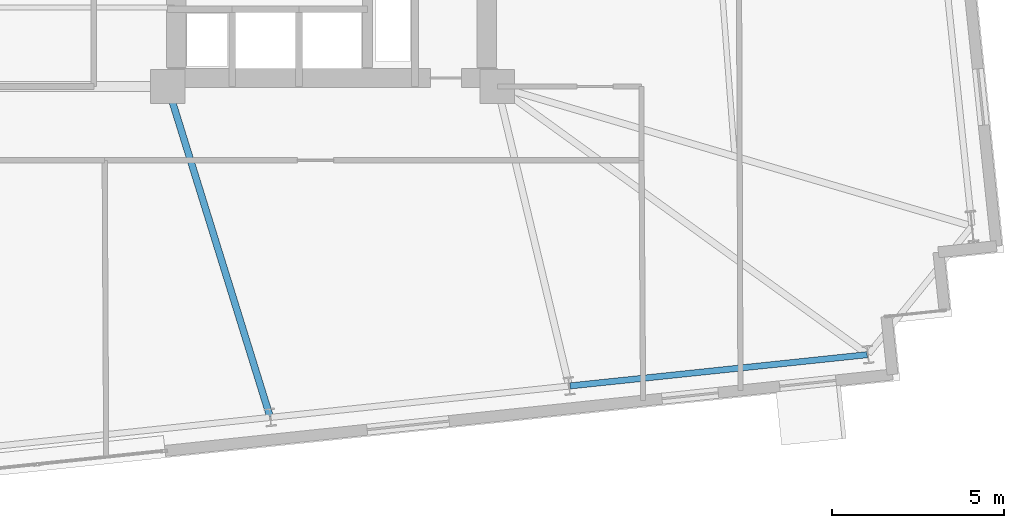
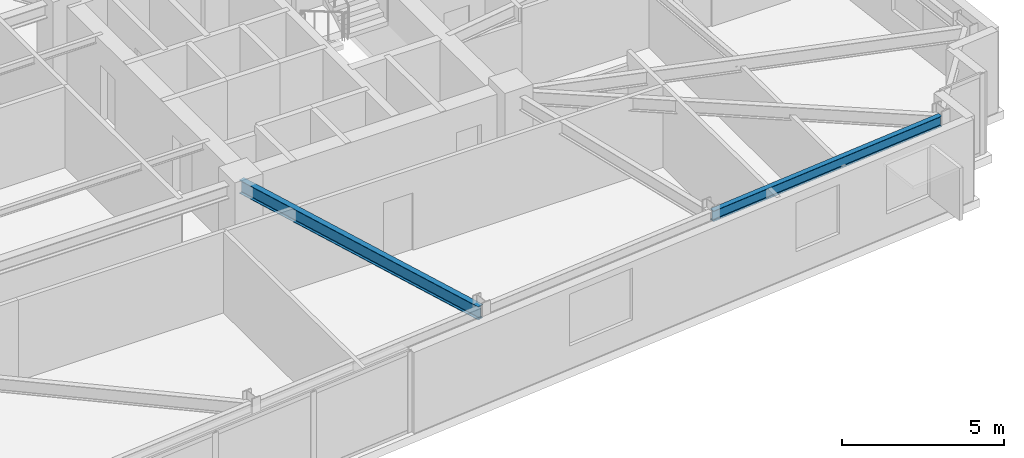
# One storey, part 9 of 22: 2 beams.
"""IFC4 building model written with IfcOpenShell, lengths in metres."""

from ifc_helpers import new_model, si_unit, direction, frame, origin, origin_2d, place, context, subcontext, project, spatial, i_section, extrude, material, material_profile, profile_set, type_object, element, save


model = new_model("IFC4")

# Units and contexts
model_context = context("Model", 3, precision=1e-05, world=origin(), true_north=direction((0.0, 1.0)))
body_context = subcontext(model_context, "Body", "Model", "MODEL_VIEW")
ifc_project = project(units=[si_unit("LENGTHUNIT", "METRE"), si_unit("AREAUNIT", "SQUARE_METRE"), si_unit("VOLUMEUNIT", "CUBIC_METRE"), si_unit("PLANEANGLEUNIT", "RADIAN"), si_unit("MASSUNIT", "GRAM", prefix="KILO")], contexts=[model_context])

# Site, building, storey
site_placement = place(None, origin())
site = spatial("IfcSite", under=ifc_project, at=site_placement, CompositionType="ELEMENT")
building_placement = place(site_placement, origin())
building = spatial("IfcBuilding", under=site, at=building_placement, Name="Qobustan Lattice House", CompositionType="ELEMENT")
storey_placement = place(building_placement, frame((0.0, 0.0, 99.10009765625)))
storey = spatial("IfcBuildingStorey", under=building, at=storey_placement, Name="L27", CompositionType="ELEMENT", Elevation=99.10009765625)

# Beams
ifc_material_1 = material(Name="Steel S355", Category="steel")
ifc_material_profile_1 = material_profile(ifc_material_1, i_section(OverallWidth=0.199951171875, OverallDepth=0.5, WebThickness=0.01025390625, FlangeThickness=0.01611328125, FilletRadius=0.02099609375, at=origin_2d()), Name="IPE500")
ifc_profile_set_1 = profile_set([ifc_material_profile_1], Name="Steel S355")
beam_type_1 = type_object("IfcBeamType", Name="BM-FLG-IPE500", PredefinedType="USERDEFINED", material=ifc_profile_set_1)
beam_1_placement = place(storey_placement, frame((12.181396484375, -15.212646484375, 2.794921875), z_axis=(-0.296219460995, 0.955119903953, 0.0), x_axis=(-0.955119903953, -0.296219460995, 0.0)))
element("IfcBeam", 1, at=beam_1_placement, inside=storey, type_object=beam_type_1, Name="L27 primary floor girder RAD-S5", ObjectType="GIRDER", PredefinedType="USERDEFINED", context=body_context, shape_type="SweptSolid", body=[
    extrude(i_section(OverallWidth=0.199951171875, OverallDepth=0.5, WebThickness=0.01025390625, FlangeThickness=0.01611328125, FilletRadius=0.02099609375, at=origin_2d()), origin(), (0.0, 0.0, 1.0), 10.03955078125),
])
ifc_material_2 = material(Name="Steel S355", Category="steel")
ifc_material_profile_2 = material_profile(ifc_material_2, i_section(OverallWidth=0.179931640625, OverallDepth=0.39990234375, WebThickness=0.008544921875, FlangeThickness=0.013427734375, FilletRadius=0.02099609375, at=origin_2d()), Name="IPE400")
ifc_profile_set_2 = profile_set([ifc_material_profile_2], Name="Steel S355")
beam_type_2 = type_object("IfcBeamType", Name="BM-SPD-IPE400", PredefinedType="SPANDREL", material=ifc_profile_set_2)
beam_2_placement = place(storey_placement, frame((20.915771484375, -14.3193359375, 2.844970703125), z_axis=(0.994521586424, 0.104531402636, 0.0), x_axis=(-0.104531402636, 0.994521586424, 0.0)))
element("IfcBeam", 2, at=beam_2_placement, inside=storey, type_object=beam_type_2, Name="L27 perimeter spandrel S6-S7", PredefinedType="SPANDREL", context=body_context, shape_type="SweptSolid", body=[
    extrude(i_section(OverallWidth=0.179931640625, OverallDepth=0.39990234375, WebThickness=0.008544921875, FlangeThickness=0.013427734375, FilletRadius=0.02099609375, at=origin_2d()), origin(), (0.0, 0.0, 1.0), 8.699951171875),
])

save(model, "model.ifc")
